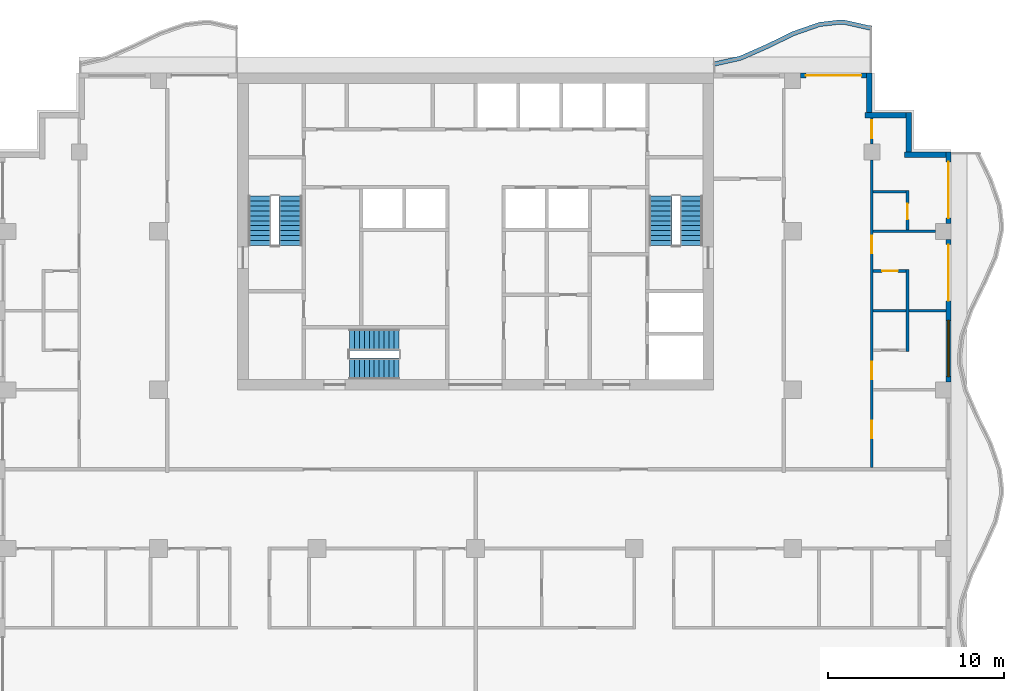
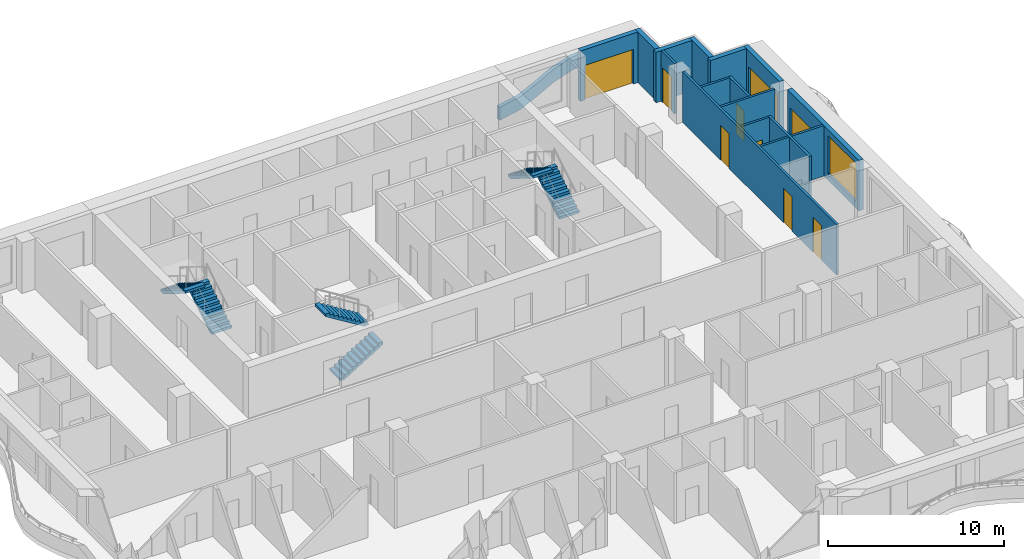
# One storey, part 7 of 11: 17 walls, 9 doors, 6 stair flights, 1 window, 10 openings, 3 elements without a shape of their own.
"""IFC4 building model written with IfcOpenShell, lengths in metres."""

import ifcopenshell
import ifcopenshell.guid

model = None  # the IFC model being written
_history = None  # IfcOwnerHistory: only IFC2X3 demands one
_inside = {}  # id of a spatial element -> (the spatial element, [elements in it])
_under = {}  # id of a project, library or spatial element -> (it, [spatial elements below it])
_declared = {}  # id of a project -> (the project, [libraries it declares])
_typed = {}  # id of a type object -> (the type object, [elements of that type])
_made_of = {}  # id of a material, layer set ... -> (it, [elements and type objects made of it])


def new_model(schema):
    """Start an empty IFC model of exactly this schema.

    Asked for "IFC4X3", IfcOpenShell would pick the latest addendum, in which some entities
    have other attributes; the version numbers below select the first issue.
    IFC2X3 requires an IfcOwnerHistory on every rooted entity: one is made here for all.
    """
    global model, _history
    if schema == "IFC4X3":
        model = ifcopenshell.file(schema_version=(4, 3, 0, 0))
    else:
        model = ifcopenshell.file(schema=schema)
    _inside.clear()
    _under.clear()
    _declared.clear()
    _typed.clear()
    _made_of.clear()
    _history = None
    if model.schema == "IFC2X3":
        org = make("IfcOrganization", Name="unknown")
        user = make(
            "IfcPersonAndOrganization",
            ThePerson=make("IfcPerson", FamilyName="unknown"),
            TheOrganization=org,
        )
        app = make(
            "IfcApplication",
            ApplicationDeveloper=org,
            Version="unknown",
            ApplicationFullName="unknown",
            ApplicationIdentifier="unknown",
        )
        _history = make(
            "IfcOwnerHistory",
            OwningUser=user,
            OwningApplication=app,
            ChangeAction="ADDED",
            CreationDate=0,
        )
    return model


def make(cls, **values):
    """One entity of the class cls with the attributes given. An attribute that is None is left unset."""
    return model.create_entity(
        cls, **{name: value for name, value in values.items() if value is not None}
    )


def rooted(cls, **values):
    """An entity with a GlobalId (a new one), such as an element, a storey or a relation."""
    return make(cls, GlobalId=ifcopenshell.guid.new(), OwnerHistory=_history, **values)


def si_unit(unit_type, name, prefix=None):
    """IfcSIUnit, for example si_unit("LENGTHUNIT", "METRE", prefix="MILLI")."""
    return make("IfcSIUnit", UnitType=unit_type, Prefix=prefix, Name=name)


def assignment(units):
    """IfcUnitAssignment: the units of a project."""
    return None if units is None else make("IfcUnitAssignment", Units=units)


def point(xyz):
    """IfcCartesianPoint."""
    return None if xyz is None else make("IfcCartesianPoint", Coordinates=xyz)


def direction(xyz):
    """IfcDirection."""
    return None if xyz is None else make("IfcDirection", DirectionRatios=xyz)


def frame(location, z_axis=None, x_axis=None):
    """IfcAxis2Placement3D, a coordinate frame: its origin and axes. An axis left out is left unset."""
    return make(
        "IfcAxis2Placement3D",
        Location=point(location),
        Axis=direction(z_axis),
        RefDirection=direction(x_axis),
    )


def frame_2d(location, x_axis=None):
    """IfcAxis2Placement2D, a coordinate frame in the plane: its origin and x axis."""
    return make(
        "IfcAxis2Placement2D", Location=point(location), RefDirection=direction(x_axis)
    )


def origin():
    """The frame at (0, 0, 0) with its axes left unset."""
    return frame((0.0, 0.0, 0.0))


def place(relative_to, where):
    """IfcLocalPlacement: puts the frame where relative to a parent placement (None: the world)."""
    return make(
        "IfcLocalPlacement", PlacementRelTo=relative_to, RelativePlacement=where
    )


def context(
    kind, dimensions, precision=None, world=None, true_north=None, identifier=None
):
    """IfcGeometricRepresentationContext, for example the 3D "Model" context."""
    return make(
        "IfcGeometricRepresentationContext",
        ContextIdentifier=identifier,
        ContextType=kind,
        CoordinateSpaceDimension=dimensions,
        Precision=precision,
        WorldCoordinateSystem=world,
        TrueNorth=true_north,
    )


def subcontext(parent, identifier, kind, view, scale=None):
    """IfcGeometricRepresentationSubContext, for example "Body" below "Model"."""
    return make(
        "IfcGeometricRepresentationSubContext",
        ContextIdentifier=identifier,
        ContextType=kind,
        ParentContext=parent,
        TargetScale=scale,
        TargetView=view,
    )


def project(units=None, contexts=None):
    """IfcProject with its units and contexts."""
    return rooted(
        "IfcProject",
        Name="project",
        RepresentationContexts=contexts,
        UnitsInContext=assignment(units),
    )


def spatial(cls, under=None, at=None, **own):
    """A site, building, storey or space (cls), placed at a placement, below another one or the project."""
    s = rooted(cls, ObjectPlacement=at, **own)
    if under is not None:
        _under.setdefault(under.id(), (under, []))[1].append(s)
    return s


def polyline(points):
    """IfcPolyline through the points."""
    return make("IfcPolyline", Points=[point(p) for p in points])


def profile(cls, at=None, kind="AREA", **sizes):
    """A parametric profile (cls). Its sizes go by their IFC names, for example OverallWidth=200.0."""
    return make(cls, ProfileType=kind, Position=at, **sizes)


def rectangle(**sizes):
    """IfcRectangleProfileDef."""
    return profile("IfcRectangleProfileDef", **sizes)


def outline(outer, holes=None, kind="AREA"):
    """IfcArbitraryClosedProfileDef: a profile drawn as a closed curve; with holes, ...WithVoids."""
    if holes is None:
        return make("IfcArbitraryClosedProfileDef", ProfileType=kind, OuterCurve=outer)
    return make(
        "IfcArbitraryProfileDefWithVoids",
        ProfileType=kind,
        OuterCurve=outer,
        InnerCurves=holes,
    )


def extrude(swept, where, along, depth):
    """IfcExtrudedAreaSolid: the profile swept, set in the frame where, extruded along a direction by depth."""
    return make(
        "IfcExtrudedAreaSolid",
        SweptArea=swept,
        Position=where,
        ExtrudedDirection=direction(along),
        Depth=depth,
    )


def shape(context_of_items, identifier, shape_type, items):
    """IfcShapeRepresentation: the items that make up one representation, for example the "Body"."""
    return make(
        "IfcShapeRepresentation",
        ContextOfItems=context_of_items,
        RepresentationIdentifier=identifier,
        RepresentationType=shape_type,
        Items=items,
    )


def material(Name=None, Category=None):
    """IfcMaterial."""
    return make("IfcMaterial", Name=Name, Category=Category)


def layer(
    of_material, thickness, ventilated=None, Name=None, Category=None, Priority=None
):
    """IfcMaterialLayer: one layer of a wall or slab, of a material (None: an air gap)."""
    return make(
        "IfcMaterialLayer",
        Material=of_material,
        LayerThickness=thickness,
        IsVentilated=ventilated,
        Name=Name,
        Category=Category,
        Priority=Priority,
    )


def layer_set(layers, Name=None):
    """IfcMaterialLayerSet."""
    return make("IfcMaterialLayerSet", MaterialLayers=layers, LayerSetName=Name)


def made_of(thing, what):
    """Note that an element or type object is made of a material, layer set ...; save() writes the relation."""
    if what is not None:
        _made_of.setdefault(what.id(), (what, []))[1].append(thing)
    return thing


def type_object(cls, material=None, **own):
    """A type object (cls), such as IfcWallType, which elements share."""
    return made_of(rooted(cls, **own), material)


def element(
    cls,
    number,
    at=None,
    inside=None,
    cuts=None,
    type_object=None,
    material=None,
    context=None,
    identifier="Body",
    shape_type=None,
    held_by="IfcProductDefinitionShape",
    body=None,
    shapes=None,
    **own,
):
    """One element of the class cls, such as IfcWall. Its Tag is "e" and its number.

    at: its placement. inside: the storey or other place that contains it. cuts: it is an
    opening in that element (IfcRelVoidsElement). A single representation is given by context,
    identifier, shape_type and body (its items); several are given by shapes. held_by: the class
    of the entity that holds the representations. save() writes the other relations.
    """
    e = rooted(cls, Tag="e%d" % number, ObjectPlacement=at, **own)
    if body is not None:
        shapes = [shape(context, identifier, shape_type, body)]
    if shapes is not None:
        e.Representation = make(held_by, Representations=shapes)
    if inside is not None:
        _inside.setdefault(inside.id(), (inside, []))[1].append(e)
    if cuts is not None:
        rooted(
            "IfcRelVoidsElement", RelatingBuildingElement=cuts, RelatedOpeningElement=e
        )
    if type_object is not None:
        _typed.setdefault(type_object.id(), (type_object, []))[1].append(e)
    return made_of(e, material)


def fill(opening, filler):
    """IfcRelFillsElement: the door or window that sits in an opening."""
    return rooted(
        "IfcRelFillsElement",
        RelatingOpeningElement=opening,
        RelatedBuildingElement=filler,
    )


def aggregate(whole, parts):
    """IfcRelAggregates: a whole, such as a stair, and the parts it consists of."""
    return rooted("IfcRelAggregates", RelatingObject=whole, RelatedObjects=parts)


def save(model, path):
    """Write the relations noted so far, then the file.

    IfcRelAggregates (storeys below a building ...), IfcRelContainedInSpatialStructure (elements
    in a storey), IfcRelDefinesByType, IfcRelAssociatesMaterial and IfcRelDeclares: one each for
    every whole, place, type object, material and project.
    """
    for whole, parts in _under.values():
        aggregate(whole, parts)
    for where, things in _inside.values():
        rooted(
            "IfcRelContainedInSpatialStructure",
            RelatedElements=things,
            RelatingStructure=where,
        )
    for kind, things in _typed.values():
        rooted("IfcRelDefinesByType", RelatedObjects=things, RelatingType=kind)
    for what, things in _made_of.values():
        rooted("IfcRelAssociatesMaterial", RelatedObjects=things, RelatingMaterial=what)
    for by, libraries in _declared.values():
        rooted("IfcRelDeclares", RelatingContext=by, RelatedDefinitions=libraries)
    model.write(path)


model = new_model("IFC4")

# Units and contexts
model_context = context("Model", 3, precision=1e-05, world=origin(), true_north=direction((0.0, 1.0)))
body_context = subcontext(model_context, "Body", "Model", "MODEL_VIEW")
ifc_project = project(units=[si_unit("LENGTHUNIT", "METRE"), si_unit("AREAUNIT", "SQUARE_METRE"), si_unit("VOLUMEUNIT", "CUBIC_METRE"), si_unit("PLANEANGLEUNIT", "RADIAN"), si_unit("MASSUNIT", "GRAM", prefix="KILO")], contexts=[model_context])

# Site, building, storey
site_placement = place(None, origin())
site = spatial("IfcSite", under=ifc_project, at=site_placement, CompositionType="ELEMENT")
building_placement = place(site_placement, origin())
building = spatial("IfcBuilding", under=site, at=building_placement, Name="Orbiselva Terraces", CompositionType="ELEMENT")
storey_placement = place(building_placement, frame((0.0, 0.0, 246.4)))
storey = spatial("IfcBuildingStorey", under=building, at=storey_placement, Name="L62", CompositionType="ELEMENT", Elevation=246.4)

# Wall
ifc_material_1 = material(Name="Concrete C40/50", Category="concrete")
ifc_layer_1 = layer(ifc_material_1, 0.25)
ifc_layer_set_1 = layer_set([ifc_layer_1], Name="Concrete C40/50")
wall_type_1 = type_object("IfcWallType", Name="ENV-PLANTER-250x900", PredefinedType="USERDEFINED", material=ifc_layer_set_1)
wall_1_placement = place(storey_placement, origin())
element("IfcWall", 1, at=wall_1_placement, inside=storey, type_object=wall_type_1, Name="Balcony planter L62 NE", ObjectType="PLANTER", PredefinedType="USERDEFINED", context=body_context, shape_type="SweptSolid", body=[
    extrude(outline(polyline([(22.5, 25.148528), (21.0, 25.485226), (20.625, 25.5), (19.5, 25.369208), (18.0, 24.844789), (16.5, 24.112279), (15.0, 23.451472), (13.5, 23.114774), (13.554754, 22.870844), (15.078508, 23.212874), (16.605286, 23.885477), (18.09644, 24.613667), (19.556371, 25.124078), (20.634572, 25.249429), (20.967435, 25.236315), (22.445246, 24.904598), (22.5, 25.148528)])), origin(), (0.0, 0.0, 1.0), 0.9),
])

# Wall, openings, door, window
ifc_material_2 = material(Name="Terracotta cladding on masonry backing", Category="masonry")
ifc_layer_2 = layer(ifc_material_2, 0.3)
ifc_layer_set_2 = layer_set([ifc_layer_2], Name="Terracotta cladding on masonry backing")
wall_type_2 = type_object("IfcWallType", Name="ENV-WALL-TERRACOTTA-300", PredefinedType="SOLIDWALL", material=ifc_layer_set_2)
wall_2_placement = place(storey_placement, frame((26.85, 13.05, 0.0), z_axis=(0.0, 0.0, 1.0), x_axis=(0.0, -1.0, 0.0)))
wall_2 = element("IfcWall", 2, at=wall_2_placement, inside=storey, type_object=wall_type_2, Name="Facade wall L62 E", PredefinedType="SOLIDWALL", context=body_context, shape_type="SweptSolid", body=[
    extrude(rectangle(XDim=8.1, YDim=0.3, at=frame_2d((4.05, 0.0))), origin(), (0.0, 0.0, 1.0), 3.5),
])
opening_1_placement = place(wall_2_placement, frame((4.6, 0.0, 0.45)))
opening_1 = element("IfcOpeningElement", 3, at=opening_1_placement, cuts=wall_2, Name="Opening WN17", PredefinedType="OPENING", context=body_context, shape_type="SweptSolid", body=[
    extrude(rectangle(XDim=3.2, YDim=2.65, at=frame_2d((1.6, 1.325))), frame((0.0, 0.16, 0.0), z_axis=(0.0, -1.0, 0.0), x_axis=(1.0, 0.0, 0.0)), (0.0, 0.0, 1.0), 0.32),
])
opening_2_placement = place(wall_2_placement, frame((0.3, 0.0, 0.0)))
opening_2 = element("IfcOpeningElement", 4, at=opening_2_placement, cuts=wall_2, Name="Opening Z5-A-E21", PredefinedType="OPENING", context=body_context, shape_type="SweptSolid", body=[
    extrude(rectangle(XDim=3.2, YDim=2.4, at=frame_2d((1.6, 1.2))), frame((0.0, 0.16, 0.0), z_axis=(0.0, -1.0, 0.0), x_axis=(1.0, 0.0, 0.0)), (0.0, 0.0, 1.0), 0.32),
])
ifc_material_3 = material(Name="Clear low-e glazing in aluminium frame", Category="aluminium")
door_type_1 = type_object("IfcDoorType", Name="BALCONY DOOR 3200 X 2400", OperationType="DOUBLE_DOOR_SLIDING", PredefinedType="DOOR", material=ifc_material_3)
door_1_placement = place(opening_2_placement, origin())
door_1 = element("IfcDoor", 5, at=door_1_placement, inside=storey, type_object=door_type_1, Name="Z5-A-E21", OperationType="SINGLE_SWING_LEFT", OverallHeight=2.4, OverallWidth=3.2, PredefinedType="DOOR", context=body_context, shape_type="SweptSolid", body=[
    extrude(rectangle(XDim=3.2, YDim=2.4, at=frame_2d((1.6, 1.2))), frame((0.0, 0.025, 0.0), z_axis=(0.0, -1.0, 0.0), x_axis=(1.0, 0.0, 0.0)), (0.0, 0.0, 1.0), 0.05),
])
fill(opening_2, door_1)
window_type = type_object("IfcWindowType", Name="WINDOW 3200 X 2650 S450", PartitioningType="TRIPLE_PANEL_VERTICAL", PredefinedType="WINDOW", material=ifc_material_3)
window_placement = place(opening_1_placement, origin())
window = element("IfcWindow", 6, at=window_placement, inside=storey, type_object=window_type, Name="Window L62 E", OverallHeight=2.65, OverallWidth=3.2, PartitioningType="SINGLE_PANEL", PredefinedType="WINDOW", context=body_context, shape_type="SweptSolid", body=[
    extrude(rectangle(XDim=3.2, YDim=2.65, at=frame_2d((1.6, 1.325))), frame((0.0, 0.03, 0.0), z_axis=(0.0, -1.0, 0.0), x_axis=(1.0, 0.0, 0.0)), (0.0, 0.0, 1.0), 0.06),
])
fill(opening_1, window)

# Wall, opening, door
wall_3_placement = place(storey_placement, frame((26.85, 18.0, 0.0), z_axis=(0.0, 0.0, 1.0), x_axis=(0.0, -1.0, 0.0)))
wall_3 = element("IfcWall", 7, at=wall_3_placement, inside=storey, type_object=wall_type_2, Name="Facade wall L62 E", PredefinedType="SOLIDWALL", context=body_context, shape_type="SweptSolid", body=[
    extrude(rectangle(XDim=4.05, YDim=0.3, at=frame_2d((2.025, 0.0))), origin(), (0.0, 0.0, 1.0), 3.5),
])
opening_3_placement = place(wall_3_placement, frame((0.55, 0.0, 0.0)))
opening_3 = element("IfcOpeningElement", 8, at=opening_3_placement, cuts=wall_3, Name="Opening Z5-A-E07", PredefinedType="OPENING", context=body_context, shape_type="SweptSolid", body=[
    extrude(rectangle(XDim=3.2, YDim=2.4, at=frame_2d((1.6, 1.2))), frame((0.0, 0.16, 0.0), z_axis=(0.0, -1.0, 0.0), x_axis=(1.0, 0.0, 0.0)), (0.0, 0.0, 1.0), 0.32),
])
door_2_placement = place(opening_3_placement, origin())
door_2 = element("IfcDoor", 9, at=door_2_placement, inside=storey, type_object=door_type_1, Name="Z5-A-E07", OperationType="SINGLE_SWING_LEFT", OverallHeight=2.4, OverallWidth=3.2, PredefinedType="DOOR", context=body_context, shape_type="SweptSolid", body=[
    extrude(rectangle(XDim=3.2, YDim=2.4, at=frame_2d((1.6, 1.2))), frame((0.0, 0.025, 0.0), z_axis=(0.0, -1.0, 0.0), x_axis=(1.0, 0.0, 0.0)), (0.0, 0.0, 1.0), 0.05),
])
fill(opening_3, door_2)

# Walls
wall_4_placement = place(storey_placement, frame((24.35, 17.85, 0.0), z_axis=(0.0, 0.0, 1.0), x_axis=(1.0, 0.0, 0.0)))
element("IfcWall", 10, at=wall_4_placement, inside=storey, type_object=wall_type_2, Name="Facade wall L62 STEP", PredefinedType="SOLIDWALL", context=body_context, shape_type="SweptSolid", body=[
    extrude(rectangle(XDim=2.35, YDim=0.3, at=frame_2d((1.175, 0.0))), origin(), (0.0, 0.0, 1.0), 3.5),
])
wall_5_placement = place(storey_placement, frame((24.6, 20.25, 0.0), z_axis=(0.0, 0.0, 1.0), x_axis=(0.0, -1.0, 0.0)))
element("IfcWall", 11, at=wall_5_placement, inside=storey, type_object=wall_type_2, Name="Facade wall L62 STEP", PredefinedType="SOLIDWALL", context=body_context, shape_type="SweptSolid", body=[
    extrude(rectangle(XDim=2.25, YDim=0.3, at=frame_2d((1.125, 0.0))), origin(), (0.0, 0.0, 1.0), 3.5),
])
wall_6_placement = place(storey_placement, frame((22.1, 20.1, 0.0), z_axis=(0.0, 0.0, 1.0), x_axis=(1.0, 0.0, 0.0)))
element("IfcWall", 12, at=wall_6_placement, inside=storey, type_object=wall_type_2, Name="Facade wall L62 STEP", PredefinedType="SOLIDWALL", context=body_context, shape_type="SweptSolid", body=[
    extrude(rectangle(XDim=2.35, YDim=0.3, at=frame_2d((1.175, 0.0))), origin(), (0.0, 0.0, 1.0), 3.5),
])
wall_7_placement = place(storey_placement, frame((22.35, 22.5, 0.0), z_axis=(0.0, 0.0, 1.0), x_axis=(0.0, -1.0, 0.0)))
element("IfcWall", 13, at=wall_7_placement, inside=storey, type_object=wall_type_2, Name="Facade wall L62 STEP", PredefinedType="SOLIDWALL", context=body_context, shape_type="SweptSolid", body=[
    extrude(rectangle(XDim=2.25, YDim=0.3, at=frame_2d((1.125, 0.0))), origin(), (0.0, 0.0, 1.0), 3.5),
])

# Wall, opening, door
wall_8_placement = place(storey_placement, frame((18.45, 22.35, 0.0), z_axis=(0.0, 0.0, 1.0), x_axis=(1.0, 0.0, 0.0)))
wall_8 = element("IfcWall", 14, at=wall_8_placement, inside=storey, type_object=wall_type_2, Name="Facade wall L62 NE", PredefinedType="SOLIDWALL", context=body_context, shape_type="SweptSolid", body=[
    extrude(rectangle(XDim=3.75, YDim=0.3, at=frame_2d((1.875, 0.0))), origin(), (0.0, 0.0, 1.0), 3.5),
])
opening_4_placement = place(wall_8_placement, frame((0.3, 0.0, 0.0)))
opening_4 = element("IfcOpeningElement", 15, at=opening_4_placement, cuts=wall_8, Name="Opening Z5-A-E15", PredefinedType="OPENING", context=body_context, shape_type="SweptSolid", body=[
    extrude(rectangle(XDim=3.15, YDim=2.4, at=frame_2d((1.575, 1.2))), frame((0.0, 0.16, 0.0), z_axis=(0.0, -1.0, 0.0), x_axis=(1.0, 0.0, 0.0)), (0.0, 0.0, 1.0), 0.32),
])
door_type_2 = type_object("IfcDoorType", Name="BALCONY DOOR 3150 X 2400", OperationType="DOUBLE_DOOR_SLIDING", PredefinedType="DOOR", material=ifc_material_3)
door_3_placement = place(opening_4_placement, origin())
door_3 = element("IfcDoor", 16, at=door_3_placement, inside=storey, type_object=door_type_2, Name="Z5-A-E15", OperationType="SINGLE_SWING_LEFT", OverallHeight=2.4, OverallWidth=3.15, PredefinedType="DOOR", context=body_context, shape_type="SweptSolid", body=[
    extrude(rectangle(XDim=3.15, YDim=2.4, at=frame_2d((1.575, 1.2))), frame((0.0, 0.025, 0.0), z_axis=(0.0, -1.0, 0.0), x_axis=(1.0, 0.0, 0.0)), (0.0, 0.0, 1.0), 0.05),
])
fill(opening_4, door_3)

# Walls
ifc_material_4 = material(Name="Plasterboard on steel stud partition", Category="steel")
ifc_layer_3 = layer(ifc_material_4, 0.15)
ifc_layer_set_3 = layer_set([ifc_layer_3], Name="Plasterboard on steel stud partition")
wall_type_3 = type_object("IfcWallType", Name="UNIT-PARTITION-150", PredefinedType="PARTITIONING", material=ifc_layer_set_3)
wall_9_placement = place(storey_placement, frame((22.575, 9.0, 0.0), z_axis=(0.0, 0.0, 1.0), x_axis=(1.0, 0.0, 0.0)))
element("IfcWall", 17, at=wall_9_placement, inside=storey, type_object=wall_type_3, Name="PARTITION L62-035", PredefinedType="PARTITIONING", context=body_context, shape_type="SweptSolid", body=[
    extrude(rectangle(XDim=1.875, YDim=0.15, at=frame_2d((0.9375, 0.0))), origin(), (0.0, 0.0, 1.0), 3.5),
])
wall_10_placement = place(storey_placement, frame((24.6, 9.0, 0.0), z_axis=(0.0, 0.0, 1.0), x_axis=(1.0, 0.0, 0.0)))
element("IfcWall", 18, at=wall_10_placement, inside=storey, type_object=wall_type_3, Name="PARTITION L62-036", PredefinedType="PARTITIONING", context=body_context, shape_type="SweptSolid", body=[
    extrude(rectangle(XDim=2.1, YDim=0.15, at=frame_2d((1.05, 0.0))), origin(), (0.0, 0.0, 1.0), 3.5),
])

# Wall, opening, door
wall_11_placement = place(storey_placement, frame((24.45, 11.25, 0.0), z_axis=(0.0, 0.0, 1.0), x_axis=(-1.0, 0.0, 0.0)))
wall_11 = element("IfcWall", 19, at=wall_11_placement, inside=storey, type_object=wall_type_3, Name="PARTITION L62-038", PredefinedType="PARTITIONING", context=body_context, shape_type="SweptSolid", body=[
    extrude(rectangle(XDim=1.875, YDim=0.15, at=frame_2d((0.9375, 0.0))), origin(), (0.0, 0.0, 1.0), 3.5),
])
opening_5_placement = place(wall_11_placement, frame((0.475, 0.0, 0.0)))
opening_5 = element("IfcOpeningElement", 20, at=opening_5_placement, cuts=wall_11, Name="Opening Z5-A-13", PredefinedType="OPENING", context=body_context, shape_type="SweptSolid", body=[
    extrude(rectangle(XDim=0.9, YDim=2.1, at=frame_2d((0.45, 1.05))), frame((0.0, 0.085, 0.0), z_axis=(0.0, -1.0, 0.0), x_axis=(1.0, 0.0, 0.0)), (0.0, 0.0, 1.0), 0.17),
])
ifc_material_5 = material(Name="Painted timber door leaf", Category="wood")
door_type_3 = type_object("IfcDoorType", Name="BATH DOOR 900", OperationType="NOTDEFINED", PredefinedType="DOOR", material=ifc_material_5)
door_4_placement = place(opening_5_placement, origin())
door_4 = element("IfcDoor", 21, at=door_4_placement, inside=storey, type_object=door_type_3, Name="Z5-A-13", OperationType="SINGLE_SWING_LEFT", OverallHeight=2.1, OverallWidth=0.9, PredefinedType="DOOR", context=body_context, shape_type="SweptSolid", body=[
    extrude(rectangle(XDim=0.9, YDim=2.1, at=frame_2d((0.45, 1.05))), frame((0.0, 0.025, 0.0), z_axis=(0.0, -1.0, 0.0), x_axis=(1.0, 0.0, 0.0)), (0.0, 0.0, 1.0), 0.05),
])
fill(opening_5, door_4)

# Walls
wall_12_placement = place(storey_placement, frame((22.575, 13.5, 0.0), z_axis=(0.0, 0.0, 1.0), x_axis=(1.0, 0.0, 0.0)))
element("IfcWall", 22, at=wall_12_placement, inside=storey, type_object=wall_type_3, Name="PARTITION L62-039", PredefinedType="PARTITIONING", context=body_context, shape_type="SweptSolid", body=[
    extrude(rectangle(XDim=3.525, YDim=0.15, at=frame_2d((1.7625, 0.0))), origin(), (0.0, 0.0, 1.0), 3.5),
])
wall_13_placement = place(storey_placement, frame((22.575, 15.75, 0.0), z_axis=(0.0, 0.0, 1.0), x_axis=(1.0, 0.0, 0.0)))
element("IfcWall", 23, at=wall_13_placement, inside=storey, type_object=wall_type_3, Name="PARTITION L62-040", PredefinedType="PARTITIONING", context=body_context, shape_type="SweptSolid", body=[
    extrude(rectangle(XDim=1.875, YDim=0.15, at=frame_2d((0.9375, 0.0))), origin(), (0.0, 0.0, 1.0), 3.5),
])

# Wall, openings, doors
wall_14_placement = place(storey_placement, frame((22.5, 17.55, 0.0), z_axis=(0.0, 0.0, 1.0), x_axis=(0.0, -1.0, 0.0)))
wall_14 = element("IfcWall", 24, at=wall_14_placement, inside=storey, type_object=wall_type_3, Name="PARTITION L62-086", PredefinedType="PARTITIONING", context=body_context, shape_type="SweptSolid", body=[
    extrude(rectangle(XDim=17.45, YDim=0.15, at=frame_2d((8.725, 0.0))), origin(), (0.0, 0.0, 1.0), 3.5),
])
opening_6_placement = place(wall_14_placement, frame((14.8, 0.0, 0.0)))
opening_6 = element("IfcOpeningElement", 25, at=opening_6_placement, cuts=wall_14, Name="Opening Z5-A-09", PredefinedType="OPENING", context=body_context, shape_type="SweptSolid", body=[
    extrude(rectangle(XDim=1.0, YDim=2.4, at=frame_2d((0.5, 1.2))), frame((0.0, 0.085, 0.0), z_axis=(0.0, -1.0, 0.0), x_axis=(1.0, 0.0, 0.0)), (0.0, 0.0, 1.0), 0.17),
])
opening_7_placement = place(wall_14_placement, frame((11.45, 0.0, 0.0)))
opening_7 = element("IfcOpeningElement", 26, at=opening_7_placement, cuts=wall_14, Name="Opening Z5-A-10", PredefinedType="OPENING", context=body_context, shape_type="SweptSolid", body=[
    extrude(rectangle(XDim=1.0, YDim=2.4, at=frame_2d((0.5, 1.2))), frame((0.0, 0.085, 0.0), z_axis=(0.0, -1.0, 0.0), x_axis=(1.0, 0.0, 0.0)), (0.0, 0.0, 1.0), 0.17),
])
opening_8_placement = place(wall_14_placement, frame((4.3, 0.0, 0.0)))
opening_8 = element("IfcOpeningElement", 27, at=opening_8_placement, cuts=wall_14, Name="Opening Z5-A-12", PredefinedType="OPENING", context=body_context, shape_type="SweptSolid", body=[
    extrude(rectangle(XDim=1.0, YDim=2.4, at=frame_2d((0.5, 1.2))), frame((0.0, 0.085, 0.0), z_axis=(0.0, -1.0, 0.0), x_axis=(1.0, 0.0, 0.0)), (0.0, 0.0, 1.0), 0.17),
])
door_type_4 = type_object("IfcDoorType", Name="ROOM DOOR 1000", OperationType="NOTDEFINED", PredefinedType="DOOR", material=ifc_material_5)
door_5_placement = place(opening_6_placement, origin())
door_5 = element("IfcDoor", 28, at=door_5_placement, inside=storey, type_object=door_type_4, Name="Z5-A-09", OperationType="SINGLE_SWING_RIGHT", OverallHeight=2.4, OverallWidth=1.0, PredefinedType="DOOR", context=body_context, shape_type="SweptSolid", body=[
    extrude(rectangle(XDim=1.0, YDim=2.4, at=frame_2d((0.5, 1.2))), frame((0.0, 0.025, 0.0), z_axis=(0.0, -1.0, 0.0), x_axis=(1.0, 0.0, 0.0)), (0.0, 0.0, 1.0), 0.05),
])
fill(opening_6, door_5)
door_6_placement = place(opening_7_placement, origin())
door_6 = element("IfcDoor", 29, at=door_6_placement, inside=storey, type_object=door_type_4, Name="Z5-A-10", OperationType="SINGLE_SWING_RIGHT", OverallHeight=2.4, OverallWidth=1.0, PredefinedType="DOOR", context=body_context, shape_type="SweptSolid", body=[
    extrude(rectangle(XDim=1.0, YDim=2.4, at=frame_2d((0.5, 1.2))), frame((0.0, 0.025, 0.0), z_axis=(0.0, -1.0, 0.0), x_axis=(1.0, 0.0, 0.0)), (0.0, 0.0, 1.0), 0.05),
])
fill(opening_7, door_6)
door_7_placement = place(opening_8_placement, origin())
door_7 = element("IfcDoor", 30, at=door_7_placement, inside=storey, type_object=door_type_4, Name="Z5-A-12", OperationType="SINGLE_SWING_LEFT", OverallHeight=2.4, OverallWidth=1.0, PredefinedType="DOOR", context=body_context, shape_type="SweptSolid", body=[
    extrude(rectangle(XDim=1.0, YDim=2.4, at=frame_2d((0.5, 1.2))), frame((0.0, 0.025, 0.0), z_axis=(0.0, -1.0, 0.0), x_axis=(1.0, 0.0, 0.0)), (0.0, 0.0, 1.0), 0.05),
])
fill(opening_8, door_7)

# Wall, opening, door
wall_15_placement = place(storey_placement, frame((22.5, 19.95, 0.0), z_axis=(0.0, 0.0, 1.0), x_axis=(0.0, -1.0, 0.0)))
wall_15 = element("IfcWall", 31, at=wall_15_placement, inside=storey, type_object=wall_type_3, Name="PARTITION L62-087", PredefinedType="PARTITIONING", context=body_context, shape_type="SweptSolid", body=[
    extrude(rectangle(XDim=1.5, YDim=0.15, at=frame_2d((0.75, 0.0))), origin(), (0.0, 0.0, 1.0), 3.5),
])
opening_9_placement = place(wall_15_placement, frame((0.15, 0.0, 0.0)))
opening_9 = element("IfcOpeningElement", 32, at=opening_9_placement, cuts=wall_15, Name="Opening Z5-A-14", PredefinedType="OPENING", context=body_context, shape_type="SweptSolid", body=[
    extrude(rectangle(XDim=1.0, YDim=2.4, at=frame_2d((0.5, 1.2))), frame((0.0, 0.085, 0.0), z_axis=(0.0, -1.0, 0.0), x_axis=(1.0, 0.0, 0.0)), (0.0, 0.0, 1.0), 0.17),
])
door_8_placement = place(opening_9_placement, origin())
door_8 = element("IfcDoor", 33, at=door_8_placement, inside=storey, type_object=door_type_4, Name="Z5-A-14", OperationType="SINGLE_SWING_LEFT", OverallHeight=2.4, OverallWidth=1.0, PredefinedType="DOOR", context=body_context, shape_type="SweptSolid", body=[
    extrude(rectangle(XDim=1.0, YDim=2.4, at=frame_2d((0.5, 1.2))), frame((0.0, 0.025, 0.0), z_axis=(0.0, -1.0, 0.0), x_axis=(1.0, 0.0, 0.0)), (0.0, 0.0, 1.0), 0.05),
])
fill(opening_9, door_8)

# Wall
wall_16_placement = place(storey_placement, frame((24.525, 6.675, 0.0), z_axis=(0.0, 0.0, 1.0), x_axis=(0.0, 1.0, 0.0)))
element("IfcWall", 34, at=wall_16_placement, inside=storey, type_object=wall_type_3, Name="PARTITION L62-088", PredefinedType="PARTITIONING", context=body_context, shape_type="SweptSolid", body=[
    extrude(rectangle(XDim=4.65, YDim=0.15, at=frame_2d((2.325, 0.0))), origin(), (0.0, 0.0, 1.0), 3.5),
])

# Wall, opening, door
wall_17_placement = place(storey_placement, frame((24.525, 13.575, 0.0), z_axis=(0.0, 0.0, 1.0), x_axis=(0.0, 1.0, 0.0)))
wall_17 = element("IfcWall", 35, at=wall_17_placement, inside=storey, type_object=wall_type_3, Name="PARTITION L62-089", PredefinedType="PARTITIONING", context=body_context, shape_type="SweptSolid", body=[
    extrude(rectangle(XDim=2.25, YDim=0.15, at=frame_2d((1.125, 0.0))), origin(), (0.0, 0.0, 1.0), 3.5),
])
opening_10_placement = place(wall_17_placement, frame((0.6, 0.0, 0.0)))
opening_10 = element("IfcOpeningElement", 36, at=opening_10_placement, cuts=wall_17, Name="Opening Z5-A-15", PredefinedType="OPENING", context=body_context, shape_type="SweptSolid", body=[
    extrude(rectangle(XDim=0.9, YDim=2.1, at=frame_2d((0.45, 1.05))), frame((0.0, 0.085, 0.0), z_axis=(0.0, -1.0, 0.0), x_axis=(1.0, 0.0, 0.0)), (0.0, 0.0, 1.0), 0.17),
])
door_9_placement = place(opening_10_placement, origin())
door_9 = element("IfcDoor", 37, at=door_9_placement, inside=storey, type_object=door_type_3, Name="Z5-A-15", OperationType="SINGLE_SWING_LEFT", OverallHeight=2.1, OverallWidth=0.9, PredefinedType="DOOR", context=body_context, shape_type="SweptSolid", body=[
    extrude(rectangle(XDim=0.9, YDim=2.1, at=frame_2d((0.45, 1.05))), frame((0.0, 0.025, 0.0), z_axis=(0.0, -1.0, 0.0), x_axis=(1.0, 0.0, 0.0)), (0.0, 0.0, 1.0), 0.05),
])
fill(opening_10, door_9)

# Stair, stair flights
stair_type_1 = type_object("IfcStairType", Name="CORE-STAIR-1200", PredefinedType="HALF_TURN_STAIR", material=ifc_material_1)
stair_1_placement = place(storey_placement, origin())
stair_1 = element("IfcStair", 38, at=stair_1_placement, inside=storey, type_object=stair_type_1, Name="L62 Exit Stair S3", PredefinedType="HALF_TURN_STAIR")
stair_flight_type_1 = type_object("IfcStairFlightType", Name="CORE-STAIR-FLIGHT-1200", PredefinedType="STRAIGHT", material=ifc_material_1)
stair_flight_1_placement = place(storey_placement, frame((-7.15, 5.7, 0.0), z_axis=(0.0, 0.0, 1.0), x_axis=(1.0, 0.0, 0.0)))
stair_flight_1 = element("IfcStairFlight", 39, at=stair_flight_1_placement, type_object=stair_flight_type_1, Name="S3 flight 1", NumberOfRisers=11, NumberOfTreads=10, PredefinedType="STRAIGHT", RiserHeight=0.172727273, TreadLength=0.28, context=body_context, shape_type="SweptSolid", body=[
    extrude(outline(polyline([(0.0, 0.0), (0.0, 0.172727), (0.28, 0.172727), (0.28, 0.345455), (0.56, 0.345455), (0.56, 0.518182), (0.84, 0.518182), (0.84, 0.690909), (1.12, 0.690909), (1.12, 0.863636), (1.4, 0.863636), (1.4, 1.036364), (1.68, 1.036364), (1.68, 1.209091), (1.96, 1.209091), (1.96, 1.381818), (2.24, 1.381818), (2.24, 1.554545), (2.52, 1.554545), (2.52, 1.727273), (2.8, 1.727273), (2.8, 1.9), (2.8, 1.551028), (0.285702, 0.0), (0.0, 0.0)])), frame((0.0, 0.6, 0.0), z_axis=(0.0, -1.0, 0.0), x_axis=(1.0, 0.0, 0.0)), (0.0, 0.0, 1.0), 1.2),
])
stair_flight_2_placement = place(storey_placement, frame((-4.35, 7.35, 1.9), z_axis=(0.0, 0.0, 1.0), x_axis=(-1.0, 0.0, 0.0)))
stair_flight_2 = element("IfcStairFlight", 40, at=stair_flight_2_placement, type_object=stair_flight_type_1, Name="S3 flight 2", NumberOfRisers=11, NumberOfTreads=10, PredefinedType="STRAIGHT", RiserHeight=0.172727273, TreadLength=0.28, context=body_context, shape_type="SweptSolid", body=[
    extrude(outline(polyline([(0.0, 0.0), (0.0, 0.172727), (0.28, 0.172727), (0.28, 0.345455), (0.56, 0.345455), (0.56, 0.518182), (0.84, 0.518182), (0.84, 0.690909), (1.12, 0.690909), (1.12, 0.863636), (1.4, 0.863636), (1.4, 1.036364), (1.68, 1.036364), (1.68, 1.209091), (1.96, 1.209091), (1.96, 1.381818), (2.24, 1.381818), (2.24, 1.554545), (2.52, 1.554545), (2.52, 1.727273), (2.8, 1.727273), (2.8, 1.9), (2.8, 1.551028), (0.285702, 0.0), (0.0, 0.0)])), frame((0.0, 0.6, 0.0), z_axis=(0.0, -1.0, 0.0), x_axis=(1.0, 0.0, 0.0)), (0.0, 0.0, 1.0), 1.2),
])
aggregate(stair_1, [stair_flight_1, stair_flight_2])

stair_type_2 = type_object("IfcStairType", Name="CORE-STAIR-1300", PredefinedType="HALF_TURN_STAIR", material=ifc_material_1)
stair_2_placement = place(storey_placement, origin())
stair_2 = element("IfcStair", 41, at=stair_2_placement, inside=storey, type_object=stair_type_2, Name="L62 Exit Stair S1", PredefinedType="HALF_TURN_STAIR")
stair_flight_type_2 = type_object("IfcStairFlightType", Name="CORE-STAIR-FLIGHT-1300", PredefinedType="STRAIGHT", material=ifc_material_1)
stair_flight_3_placement = place(storey_placement, frame((-10.5, 12.7, 0.0), z_axis=(0.0, 0.0, 1.0), x_axis=(0.0, 1.0, 0.0)))
stair_flight_3 = element("IfcStairFlight", 42, at=stair_flight_3_placement, type_object=stair_flight_type_2, Name="S1 flight 1", NumberOfRisers=11, NumberOfTreads=10, PredefinedType="STRAIGHT", RiserHeight=0.172727273, TreadLength=0.28, context=body_context, shape_type="SweptSolid", body=[
    extrude(outline(polyline([(0.0, 0.0), (0.0, 0.172727), (0.28, 0.172727), (0.28, 0.345455), (0.56, 0.345455), (0.56, 0.518182), (0.84, 0.518182), (0.84, 0.690909), (1.12, 0.690909), (1.12, 0.863636), (1.4, 0.863636), (1.4, 1.036364), (1.68, 1.036364), (1.68, 1.209091), (1.96, 1.209091), (1.96, 1.381818), (2.24, 1.381818), (2.24, 1.554545), (2.52, 1.554545), (2.52, 1.727273), (2.8, 1.727273), (2.8, 1.9), (2.8, 1.551028), (0.285702, 0.0), (0.0, 0.0)])), frame((0.0, 0.65, 0.0), z_axis=(0.0, -1.0, 0.0), x_axis=(1.0, 0.0, 0.0)), (0.0, 0.0, 1.0), 1.3),
])
stair_flight_4_placement = place(storey_placement, frame((-12.25, 15.5, 1.9), z_axis=(0.0, 0.0, 1.0), x_axis=(0.0, -1.0, 0.0)))
stair_flight_4 = element("IfcStairFlight", 43, at=stair_flight_4_placement, type_object=stair_flight_type_2, Name="S1 flight 2", NumberOfRisers=11, NumberOfTreads=10, PredefinedType="STRAIGHT", RiserHeight=0.172727273, TreadLength=0.28, context=body_context, shape_type="SweptSolid", body=[
    extrude(outline(polyline([(0.0, 0.0), (0.0, 0.172727), (0.28, 0.172727), (0.28, 0.345455), (0.56, 0.345455), (0.56, 0.518182), (0.84, 0.518182), (0.84, 0.690909), (1.12, 0.690909), (1.12, 0.863636), (1.4, 0.863636), (1.4, 1.036364), (1.68, 1.036364), (1.68, 1.209091), (1.96, 1.209091), (1.96, 1.381818), (2.24, 1.381818), (2.24, 1.554545), (2.52, 1.554545), (2.52, 1.727273), (2.8, 1.727273), (2.8, 1.9), (2.8, 1.551028), (0.285702, 0.0), (0.0, 0.0)])), frame((0.0, 0.65, 0.0), z_axis=(0.0, -1.0, 0.0), x_axis=(1.0, 0.0, 0.0)), (0.0, 0.0, 1.0), 1.3),
])
aggregate(stair_2, [stair_flight_3, stair_flight_4])

stair_3_placement = place(storey_placement, origin())
stair_3 = element("IfcStair", 44, at=stair_3_placement, inside=storey, type_object=stair_type_2, Name="L62 Exit Stair S2", PredefinedType="HALF_TURN_STAIR")
stair_flight_5_placement = place(storey_placement, frame((12.25, 12.7, 0.0), z_axis=(0.0, 0.0, 1.0), x_axis=(0.0, 1.0, 0.0)))
stair_flight_5 = element("IfcStairFlight", 45, at=stair_flight_5_placement, type_object=stair_flight_type_2, Name="S2 flight 1", NumberOfRisers=11, NumberOfTreads=10, PredefinedType="STRAIGHT", RiserHeight=0.172727273, TreadLength=0.28, context=body_context, shape_type="SweptSolid", body=[
    extrude(outline(polyline([(0.0, 0.0), (0.0, 0.172727), (0.28, 0.172727), (0.28, 0.345455), (0.56, 0.345455), (0.56, 0.518182), (0.84, 0.518182), (0.84, 0.690909), (1.12, 0.690909), (1.12, 0.863636), (1.4, 0.863636), (1.4, 1.036364), (1.68, 1.036364), (1.68, 1.209091), (1.96, 1.209091), (1.96, 1.381818), (2.24, 1.381818), (2.24, 1.554545), (2.52, 1.554545), (2.52, 1.727273), (2.8, 1.727273), (2.8, 1.9), (2.8, 1.551028), (0.285702, 0.0), (0.0, 0.0)])), frame((0.0, 0.65, 0.0), z_axis=(0.0, -1.0, 0.0), x_axis=(1.0, 0.0, 0.0)), (0.0, 0.0, 1.0), 1.3),
])
stair_flight_6_placement = place(storey_placement, frame((10.5, 15.5, 1.9), z_axis=(0.0, 0.0, 1.0), x_axis=(0.0, -1.0, 0.0)))
stair_flight_6 = element("IfcStairFlight", 46, at=stair_flight_6_placement, type_object=stair_flight_type_2, Name="S2 flight 2", NumberOfRisers=11, NumberOfTreads=10, PredefinedType="STRAIGHT", RiserHeight=0.172727273, TreadLength=0.28, context=body_context, shape_type="SweptSolid", body=[
    extrude(outline(polyline([(0.0, 0.0), (0.0, 0.172727), (0.28, 0.172727), (0.28, 0.345455), (0.56, 0.345455), (0.56, 0.518182), (0.84, 0.518182), (0.84, 0.690909), (1.12, 0.690909), (1.12, 0.863636), (1.4, 0.863636), (1.4, 1.036364), (1.68, 1.036364), (1.68, 1.209091), (1.96, 1.209091), (1.96, 1.381818), (2.24, 1.381818), (2.24, 1.554545), (2.52, 1.554545), (2.52, 1.727273), (2.8, 1.727273), (2.8, 1.9), (2.8, 1.551028), (0.285702, 0.0), (0.0, 0.0)])), frame((0.0, 0.65, 0.0), z_axis=(0.0, -1.0, 0.0), x_axis=(1.0, 0.0, 0.0)), (0.0, 0.0, 1.0), 1.3),
])
aggregate(stair_3, [stair_flight_5, stair_flight_6])

save(model, "model.ifc")
